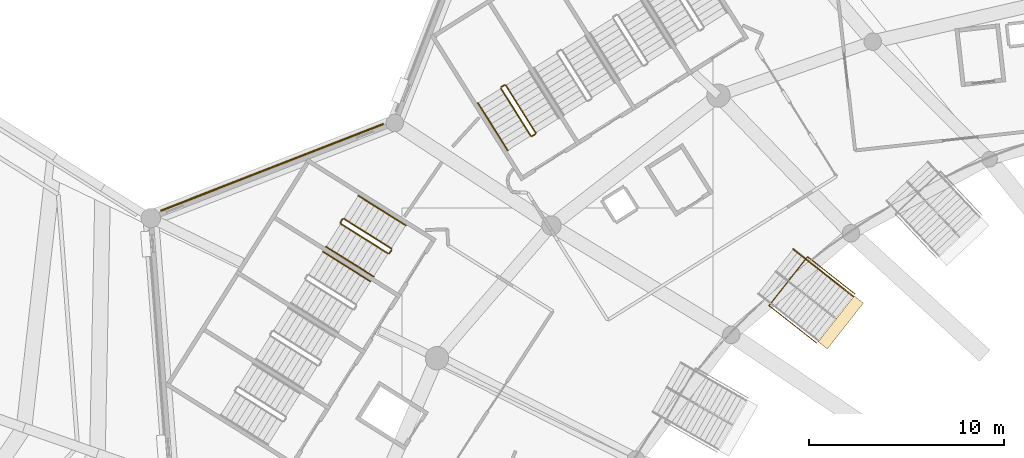
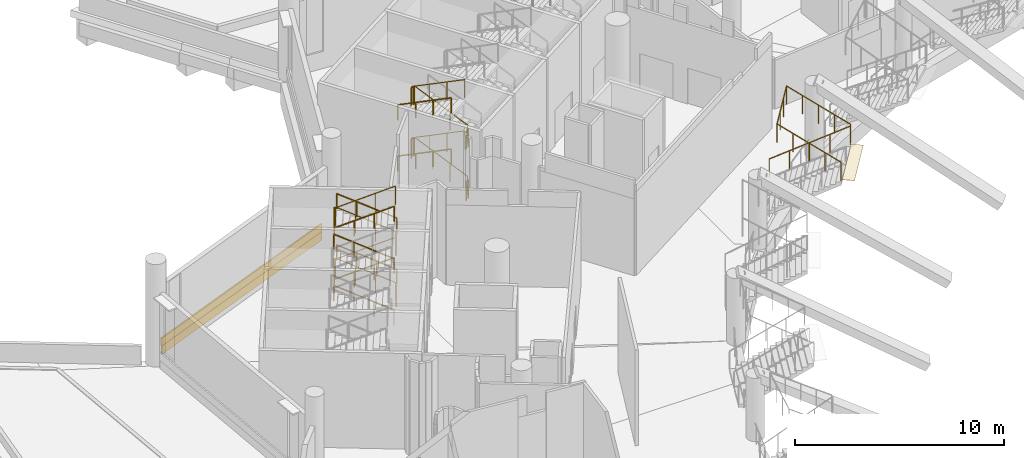
# One storey, part 150 of 173: 26 railings, 3 coverings.
"""IFC4 building model written with IfcOpenShell, lengths in metres."""

from ifc_helpers import new_model, si_unit, direction, frame, origin, origin_2d, place, context, subcontext, project, spatial, rectangle, circle, extrude, material, layer, layer_set, type_object, element, save


model = new_model("IFC4")

# Units and contexts
model_context = context("Model", 3, precision=1e-05, world=origin(), true_north=direction((0.0, 1.0)))
body_context = subcontext(model_context, "Body", "Model", "MODEL_VIEW")
ifc_project = project(units=[si_unit("LENGTHUNIT", "METRE"), si_unit("AREAUNIT", "SQUARE_METRE"), si_unit("VOLUMEUNIT", "CUBIC_METRE"), si_unit("PLANEANGLEUNIT", "RADIAN"), si_unit("MASSUNIT", "GRAM", prefix="KILO")], contexts=[model_context])

# Site, building, storey
site_placement = place(None, origin())
site = spatial("IfcSite", under=ifc_project, at=site_placement, CompositionType="ELEMENT")
building_placement = place(site_placement, origin())
building = spatial("IfcBuilding", under=site, at=building_placement, Name="Meseta Stadium", CompositionType="ELEMENT")
storey_placement = place(building_placement, frame((0.0, 0.0, 18.0)))
storey = spatial("IfcBuildingStorey", under=building, at=storey_placement, Name="L03", CompositionType="ELEMENT", Elevation=18.0)

# Covering
ifc_material_1 = material(Name="Guadarrama granite cladding", Category="masonry")
ifc_layer_1 = layer(ifc_material_1, 0.06005859375)
ifc_layer_set_1 = layer_set([ifc_layer_1], Name="Granite plinth cladding 60")
covering_type_1 = type_object("IfcCoveringType", Name="Granite plinth cladding 60", PredefinedType="CLADDING", material=ifc_layer_set_1)
covering_1_placement = place(storey_placement, frame((-86.669921875, 82.073486328125, 0.0), z_axis=(0.0, 0.0, 1.0), x_axis=(0.931679815252, 0.363280500237, 0.0)))
element("IfcCovering", 1, at=covering_1_placement, inside=storey, type_object=covering_type_1, Name="Granite plinth L03 F25", PredefinedType="CLADDING", context=body_context, shape_type="SweptSolid", body=[
    extrude(rectangle(XDim=12.273681640625, YDim=0.06005859375, at=origin_2d()), origin(), (0.0, 0.0, 1.0), 0.5),
])

# Railings
ifc_material_2 = material(Name="Steel S355", Category="steel")
railing_type_1 = type_object("IfcRailingType", Name="Stair guard 1100", PredefinedType="GUARDRAIL", material=ifc_material_2)
railing_1_placement = place(storey_placement, frame((-73.121826171875, 83.8603515625, 0.14990234375)))
element("IfcRailing", 2, at=railing_1_placement, inside=storey, type_object=railing_type_1, Name="ST52 L03 guard 1", PredefinedType="GUARDRAIL", context=body_context, shape_type="SweptSolid", body=[
    extrude(circle(Radius=0.02392578125, at=origin_2d()), frame((0.0, 0.0, 1.076171875), z_axis=(-0.481731036161, 0.766655447606, 0.424469826318), x_axis=(-0.846719477248, -0.53203959143, 0.0)), (0.0, 0.0, 1.0), 3.1806640625),
    extrude(circle(Radius=0.02099609375, at=origin_2d()), origin(), (0.0, 0.0, 1.0), 1.052001953125),
    extrude(circle(Radius=0.02099609375, at=origin_2d()), frame((-0.5107421875, 0.812744140625, 0.449951171875)), (0.0, 0.0, 1.0), 1.052001953125),
    extrude(circle(Radius=0.02099609375, at=origin_2d()), frame((-1.021484375, 1.625732421875, 0.900146484375)), (0.0, 0.0, 1.0), 1.052001953125),
    extrude(circle(Radius=0.02099609375, at=origin_2d()), frame((-1.5322265625, 2.4384765625, 1.35009765625)), (0.0, 0.0, 1.0), 1.052001953125),
])
railing_2_placement = place(storey_placement, frame((-74.72314453125, 86.314453125, 1.5)))
element("IfcRailing", 3, at=railing_2_placement, inside=storey, type_object=railing_type_1, Name="ST52 L03 guard 2", PredefinedType="GUARDRAIL", context=body_context, shape_type="SweptSolid", body=[
    extrude(circle(Radius=0.02392578125, at=origin_2d()), frame((0.0, 0.0, 1.076171875), z_axis=(-0.846966780732, -0.531645814745, 0.0), x_axis=(0.531645814745, -0.846966780732, 0.0)), (0.0, 0.0, 1.0), 0.19970703125),
    extrude(circle(Radius=0.02099609375, at=origin_2d()), origin(), (0.0, 0.0, 1.0), 1.052001953125),
    extrude(circle(Radius=0.02099609375, at=origin_2d()), frame((-0.169189453125, -0.106201171875, 0.0)), (0.0, 0.0, 1.0), 1.052001953125),
])
railing_3_placement = place(storey_placement, frame((-74.908203125, 86.13916015625, 1.64990234375)))
element("IfcRailing", 4, at=railing_3_placement, inside=storey, type_object=railing_type_1, Name="ST52 L03 guard 3", PredefinedType="GUARDRAIL", context=body_context, shape_type="SweptSolid", body=[
    extrude(circle(Radius=0.02392578125, at=origin_2d()), frame((0.0, 0.0, 1.076171875), z_axis=(0.481731036161, -0.766655447606, 0.424469826318), x_axis=(0.846719477248, 0.53203959143, 0.0)), (0.0, 0.0, 1.0), 3.1806640625),
    extrude(circle(Radius=0.02099609375, at=origin_2d()), origin(), (0.0, 0.0, 1.0), 1.052001953125),
    extrude(circle(Radius=0.02099609375, at=origin_2d()), frame((0.5107421875, -0.812744140625, 0.449951171875)), (0.0, 0.0, 1.0), 1.052001953125),
    extrude(circle(Radius=0.02099609375, at=origin_2d()), frame((1.021484375, -1.625732421875, 0.900146484375)), (0.0, 0.0, 1.0), 1.052001953125),
    extrude(circle(Radius=0.02099609375, at=origin_2d()), frame((1.5322265625, -2.4384765625, 1.35009765625)), (0.0, 0.0, 1.0), 1.052001953125),
])
railing_4_placement = place(storey_placement, frame((-73.1376953125, 83.791259765625, 3.0)))
element("IfcRailing", 5, at=railing_4_placement, inside=storey, type_object=railing_type_1, Name="ST52 L03 guard 4", PredefinedType="GUARDRAIL", context=body_context, shape_type="SweptSolid", body=[
    extrude(circle(Radius=0.02392578125, at=origin_2d()), frame((0.0, 0.0, 1.076171875), z_axis=(-0.846416356806, -0.532521690573, 0.0), x_axis=(0.532521690573, -0.846416356806, 0.0)), (0.0, 0.0, 1.0), 0.199951171875),
    extrude(circle(Radius=0.02099609375, at=origin_2d()), origin(), (0.0, 0.0, 1.0), 1.052001953125),
    extrude(circle(Radius=0.02099609375, at=origin_2d()), frame((-0.169189453125, -0.1064453125, 0.0)), (0.0, 0.0, 1.0), 1.052001953125),
])
railing_5_placement = place(storey_placement, frame((-73.121826171875, 83.8603515625, 3.14990234375)))
element("IfcRailing", 6, at=railing_5_placement, inside=storey, type_object=railing_type_1, Name="ST52 L03 guard 5", PredefinedType="GUARDRAIL", context=body_context, shape_type="SweptSolid", body=[
    extrude(circle(Radius=0.02392578125, at=origin_2d()), frame((0.0, 0.0, 1.076171875), z_axis=(-0.481731036161, 0.766655447606, 0.424469826318), x_axis=(-0.846719477248, -0.53203959143, 0.0)), (0.0, 0.0, 1.0), 3.1806640625),
    extrude(circle(Radius=0.02099609375, at=origin_2d()), origin(), (0.0, 0.0, 1.0), 1.052001953125),
    extrude(circle(Radius=0.02099609375, at=origin_2d()), frame((-0.5107421875, 0.812744140625, 0.449951171875)), (0.0, 0.0, 1.0), 1.052001953125),
    extrude(circle(Radius=0.02099609375, at=origin_2d()), frame((-1.021484375, 1.625732421875, 0.900146484375)), (0.0, 0.0, 1.0), 1.052001953125),
    extrude(circle(Radius=0.02099609375, at=origin_2d()), frame((-1.5322265625, 2.4384765625, 1.35009765625)), (0.0, 0.0, 1.0), 1.052001953125),
])
railing_6_placement = place(storey_placement, frame((-74.72314453125, 86.314453125, 4.5)))
element("IfcRailing", 7, at=railing_6_placement, inside=storey, type_object=railing_type_1, Name="ST52 L03 guard 6", PredefinedType="GUARDRAIL", context=body_context, shape_type="SweptSolid", body=[
    extrude(circle(Radius=0.02392578125, at=origin_2d()), frame((0.0, 0.0, 1.076171875), z_axis=(-0.846966780732, -0.531645814745, 0.0), x_axis=(0.531645814745, -0.846966780732, 0.0)), (0.0, 0.0, 1.0), 0.19970703125),
    extrude(circle(Radius=0.02099609375, at=origin_2d()), origin(), (0.0, 0.0, 1.0), 1.052001953125),
    extrude(circle(Radius=0.02099609375, at=origin_2d()), frame((-0.169189453125, -0.106201171875, 0.0)), (0.0, 0.0, 1.0), 1.052001953125),
])
railing_7_placement = place(storey_placement, frame((-74.908203125, 86.13916015625, 4.64990234375)))
element("IfcRailing", 8, at=railing_7_placement, inside=storey, type_object=railing_type_1, Name="ST52 L03 guard 7", PredefinedType="GUARDRAIL", context=body_context, shape_type="SweptSolid", body=[
    extrude(circle(Radius=0.02392578125, at=origin_2d()), frame((0.0, 0.0, 1.076171875), z_axis=(0.481731036161, -0.766655447606, 0.424469826318), x_axis=(0.846719477248, 0.53203959143, 0.0)), (0.0, 0.0, 1.0), 3.1806640625),
    extrude(circle(Radius=0.02099609375, at=origin_2d()), origin(), (0.0, 0.0, 1.0), 1.052001953125),
    extrude(circle(Radius=0.02099609375, at=origin_2d()), frame((0.5107421875, -0.812744140625, 0.449951171875)), (0.0, 0.0, 1.0), 1.052001953125),
    extrude(circle(Radius=0.02099609375, at=origin_2d()), frame((1.021484375, -1.625732421875, 0.900146484375)), (0.0, 0.0, 1.0), 1.052001953125),
    extrude(circle(Radius=0.02099609375, at=origin_2d()), frame((1.5322265625, -2.4384765625, 1.35009765625)), (0.0, 0.0, 1.0), 1.052001953125),
])
railing_8_placement = place(storey_placement, frame((-73.1376953125, 83.791259765625, 0.0)))
element("IfcRailing", 9, at=railing_8_placement, inside=storey, type_object=railing_type_1, Name="ST52 L03 guard 8", PredefinedType="GUARDRAIL", context=body_context, shape_type="SweptSolid", body=[
    extrude(circle(Radius=0.02392578125, at=origin_2d()), frame((0.0, 0.0, 1.076171875), z_axis=(-0.846416356806, -0.532521690573, 0.0), x_axis=(0.532521690573, -0.846416356806, 0.0)), (0.0, 0.0, 1.0), 0.199951171875),
    extrude(circle(Radius=0.02099609375, at=origin_2d()), origin(), (0.0, 0.0, 1.0), 1.052001953125),
    extrude(circle(Radius=0.02099609375, at=origin_2d()), frame((-0.169189453125, -0.1064453125, 0.0)), (0.0, 0.0, 1.0), 1.052001953125),
])
railing_9_placement = place(storey_placement, frame((-80.54736328125, 77.907958984375, 0.14990234375)))
element("IfcRailing", 10, at=railing_9_placement, inside=storey, type_object=railing_type_1, Name="ST53 L03 guard 1", PredefinedType="GUARDRAIL", context=body_context, shape_type="SweptSolid", body=[
    extrude(circle(Radius=0.02392578125, at=origin_2d()), frame((0.0, 0.0, 1.076171875), z_axis=(-0.766655447606, 0.481731036161, 0.424469826318), x_axis=(-0.53203959143, -0.846719477248, 0.0)), (0.0, 0.0, 1.0), 3.1806640625),
    extrude(circle(Radius=0.02099609375, at=origin_2d()), origin(), (0.0, 0.0, 1.0), 1.052001953125),
    extrude(circle(Radius=0.02099609375, at=origin_2d()), frame((-0.812744140625, 0.5107421875, 0.449951171875)), (0.0, 0.0, 1.0), 1.052001953125),
    extrude(circle(Radius=0.02099609375, at=origin_2d()), frame((-1.625732421875, 1.021484375, 0.900146484375)), (0.0, 0.0, 1.0), 1.052001953125),
    extrude(circle(Radius=0.02099609375, at=origin_2d()), frame((-2.4384765625, 1.5322265625, 1.35009765625)), (0.0, 0.0, 1.0), 1.052001953125),
])
railing_10_placement = place(storey_placement, frame((-83.054931640625, 79.42431640625, 1.5)))
element("IfcRailing", 11, at=railing_10_placement, inside=storey, type_object=railing_type_1, Name="ST53 L03 guard 2", PredefinedType="GUARDRAIL", context=body_context, shape_type="SweptSolid", body=[
    extrude(circle(Radius=0.02392578125, at=origin_2d()), frame((0.0, 0.0, 1.076171875), z_axis=(-0.532521690573, -0.846416356806, 0.0), x_axis=(0.846416356806, -0.532521690573, 0.0)), (0.0, 0.0, 1.0), 0.199951171875),
    extrude(circle(Radius=0.02099609375, at=origin_2d()), origin(), (0.0, 0.0, 1.0), 1.052001953125),
    extrude(circle(Radius=0.02099609375, at=origin_2d()), frame((-0.1064453125, -0.169189453125, 0.0)), (0.0, 0.0, 1.0), 1.052001953125),
])
railing_11_placement = place(storey_placement, frame((-83.1455078125, 79.18603515625, 1.64990234375)))
element("IfcRailing", 12, at=railing_11_placement, inside=storey, type_object=railing_type_1, Name="ST53 L03 guard 3", PredefinedType="GUARDRAIL", context=body_context, shape_type="SweptSolid", body=[
    extrude(circle(Radius=0.02392578125, at=origin_2d()), frame((0.0, 0.0, 1.076171875), z_axis=(0.766655447606, -0.481731036161, 0.424469826318), x_axis=(0.53203959143, 0.846719477248, 0.0)), (0.0, 0.0, 1.0), 3.1806640625),
    extrude(circle(Radius=0.02099609375, at=origin_2d()), origin(), (0.0, 0.0, 1.0), 1.052001953125),
    extrude(circle(Radius=0.02099609375, at=origin_2d()), frame((0.812744140625, -0.5107421875, 0.449951171875)), (0.0, 0.0, 1.0), 1.052001953125),
    extrude(circle(Radius=0.02099609375, at=origin_2d()), frame((1.625732421875, -1.021484375, 0.900146484375)), (0.0, 0.0, 1.0), 1.052001953125),
    extrude(circle(Radius=0.02099609375, at=origin_2d()), frame((2.4384765625, -1.5322265625, 1.35009765625)), (0.0, 0.0, 1.0), 1.052001953125),
])
railing_12_placement = place(storey_placement, frame((-80.53173828125, 77.8388671875, 3.0)))
element("IfcRailing", 13, at=railing_12_placement, inside=storey, type_object=railing_type_1, Name="ST53 L03 guard 4", PredefinedType="GUARDRAIL", context=body_context, shape_type="SweptSolid", body=[
    extrude(circle(Radius=0.02392578125, at=origin_2d()), frame((0.0, 0.0, 1.076171875), z_axis=(-0.531645814745, -0.846966780732, 0.0), x_axis=(0.846966780732, -0.531645814745, 0.0)), (0.0, 0.0, 1.0), 0.19970703125),
    extrude(circle(Radius=0.02099609375, at=origin_2d()), origin(), (0.0, 0.0, 1.0), 1.052001953125),
    extrude(circle(Radius=0.02099609375, at=origin_2d()), frame((-0.106201171875, -0.169189453125, 0.0)), (0.0, 0.0, 1.0), 1.052001953125),
])
railing_13_placement = place(storey_placement, frame((-80.54736328125, 77.907958984375, 3.14990234375)))
element("IfcRailing", 14, at=railing_13_placement, inside=storey, type_object=railing_type_1, Name="ST53 L03 guard 5", PredefinedType="GUARDRAIL", context=body_context, shape_type="SweptSolid", body=[
    extrude(circle(Radius=0.02392578125, at=origin_2d()), frame((0.0, 0.0, 1.076171875), z_axis=(-0.766655447606, 0.481731036161, 0.424469826318), x_axis=(-0.53203959143, -0.846719477248, 0.0)), (0.0, 0.0, 1.0), 3.1806640625),
    extrude(circle(Radius=0.02099609375, at=origin_2d()), origin(), (0.0, 0.0, 1.0), 1.052001953125),
    extrude(circle(Radius=0.02099609375, at=origin_2d()), frame((-0.812744140625, 0.5107421875, 0.449951171875)), (0.0, 0.0, 1.0), 1.052001953125),
    extrude(circle(Radius=0.02099609375, at=origin_2d()), frame((-1.625732421875, 1.021484375, 0.900146484375)), (0.0, 0.0, 1.0), 1.052001953125),
    extrude(circle(Radius=0.02099609375, at=origin_2d()), frame((-2.4384765625, 1.5322265625, 1.35009765625)), (0.0, 0.0, 1.0), 1.052001953125),
])
railing_14_placement = place(storey_placement, frame((-83.054931640625, 79.42431640625, 4.5)))
element("IfcRailing", 15, at=railing_14_placement, inside=storey, type_object=railing_type_1, Name="ST53 L03 guard 6", PredefinedType="GUARDRAIL", context=body_context, shape_type="SweptSolid", body=[
    extrude(circle(Radius=0.02392578125, at=origin_2d()), frame((0.0, 0.0, 1.076171875), z_axis=(-0.532521690573, -0.846416356806, 0.0), x_axis=(0.846416356806, -0.532521690573, 0.0)), (0.0, 0.0, 1.0), 0.199951171875),
    extrude(circle(Radius=0.02099609375, at=origin_2d()), origin(), (0.0, 0.0, 1.0), 1.052001953125),
    extrude(circle(Radius=0.02099609375, at=origin_2d()), frame((-0.1064453125, -0.169189453125, 0.0)), (0.0, 0.0, 1.0), 1.052001953125),
])
railing_15_placement = place(storey_placement, frame((-83.1455078125, 79.18603515625, 4.64990234375)))
element("IfcRailing", 16, at=railing_15_placement, inside=storey, type_object=railing_type_1, Name="ST53 L03 guard 7", PredefinedType="GUARDRAIL", context=body_context, shape_type="SweptSolid", body=[
    extrude(circle(Radius=0.02392578125, at=origin_2d()), frame((0.0, 0.0, 1.076171875), z_axis=(0.766655447606, -0.481731036161, 0.424469826318), x_axis=(0.53203959143, 0.846719477248, 0.0)), (0.0, 0.0, 1.0), 3.1806640625),
    extrude(circle(Radius=0.02099609375, at=origin_2d()), origin(), (0.0, 0.0, 1.0), 1.052001953125),
    extrude(circle(Radius=0.02099609375, at=origin_2d()), frame((0.812744140625, -0.5107421875, 0.449951171875)), (0.0, 0.0, 1.0), 1.052001953125),
    extrude(circle(Radius=0.02099609375, at=origin_2d()), frame((1.625732421875, -1.021484375, 0.900146484375)), (0.0, 0.0, 1.0), 1.052001953125),
    extrude(circle(Radius=0.02099609375, at=origin_2d()), frame((2.4384765625, -1.5322265625, 1.35009765625)), (0.0, 0.0, 1.0), 1.052001953125),
])
railing_16_placement = place(storey_placement, frame((-80.53173828125, 77.8388671875, 0.0)))
element("IfcRailing", 17, at=railing_16_placement, inside=storey, type_object=railing_type_1, Name="ST53 L03 guard 8", PredefinedType="GUARDRAIL", context=body_context, shape_type="SweptSolid", body=[
    extrude(circle(Radius=0.02392578125, at=origin_2d()), frame((0.0, 0.0, 1.076171875), z_axis=(-0.531645814745, -0.846966780732, 0.0), x_axis=(0.846966780732, -0.531645814745, 0.0)), (0.0, 0.0, 1.0), 0.19970703125),
    extrude(circle(Radius=0.02099609375, at=origin_2d()), origin(), (0.0, 0.0, 1.0), 1.052001953125),
    extrude(circle(Radius=0.02099609375, at=origin_2d()), frame((-0.106201171875, -0.169189453125, 0.0)), (0.0, 0.0, 1.0), 1.052001953125),
])
ifc_material_3 = material(Name="Steel S355", Category="steel")
railing_type_2 = type_object("IfcRailingType", Name="Stair handrail 900", PredefinedType="HANDRAIL", material=ifc_material_3)
for number, where, name in (
    (18, (-76.093505859375, 85.394287109375, 1.64990234375), "ST52 L03 handrail 2"),
    (19, (-76.093505859375, 85.394287109375, 4.64990234375), "ST52 L03 handrail 4"),
):
    element("IfcRailing", number, at=place(storey_placement, frame(where)), inside=storey, type_object=railing_type_2, Name=name, PredefinedType="HANDRAIL", context=body_context, shape_type="SweptSolid", body=[
        extrude(circle(Radius=0.02392578125, at=origin_2d()), frame((0.0, 0.0, 0.8759765625), z_axis=(0.481731036161, -0.766655447606, 0.424469826318), x_axis=(0.846719477248, 0.53203959143, 0.0)), (0.0, 0.0, 1.0), 3.1806640625),
        extrude(circle(Radius=0.02099609375, at=origin_2d()), origin(), (0.0, 0.0, 1.0), 0.851806640625),
        extrude(circle(Radius=0.02099609375, at=origin_2d()), frame((0.5107421875, -0.812744140625, 0.449951171875)), (0.0, 0.0, 1.0), 0.851806640625),
        extrude(circle(Radius=0.02099609375, at=origin_2d()), frame((1.021484375, -1.625732421875, 0.900146484375)), (0.0, 0.0, 1.0), 0.851806640625),
        extrude(circle(Radius=0.02099609375, at=origin_2d()), frame((1.5322265625, -2.4384765625, 1.35009765625)), (0.0, 0.0, 1.0), 0.851806640625),
    ])
railing_17_placement = place(storey_placement, frame((-79.802490234375, 79.09326171875, 0.14990234375)))
element("IfcRailing", 20, at=railing_17_placement, inside=storey, type_object=railing_type_2, Name="ST53 L03 handrail 1", PredefinedType="HANDRAIL", context=body_context, shape_type="SweptSolid", body=[
    extrude(circle(Radius=0.02392578125, at=origin_2d()), frame((0.0, 0.0, 0.8759765625), z_axis=(-0.766687087345, 0.481702688975, 0.424444848635), x_axis=(-0.532001404082, -0.84674347122, 0.0)), (0.0, 0.0, 1.0), 3.180908203125),
    extrude(circle(Radius=0.02099609375, at=origin_2d()), origin(), (0.0, 0.0, 1.0), 0.851806640625),
    extrude(circle(Radius=0.02099609375, at=origin_2d()), frame((-0.81298828125, 0.5107421875, 0.449951171875)), (0.0, 0.0, 1.0), 0.851806640625),
    extrude(circle(Radius=0.02099609375, at=origin_2d()), frame((-1.625732421875, 1.021484375, 0.900146484375)), (0.0, 0.0, 1.0), 0.851806640625),
    extrude(circle(Radius=0.02099609375, at=origin_2d()), frame((-2.438720703125, 1.5322265625, 1.35009765625)), (0.0, 0.0, 1.0), 0.851806640625),
])
railing_18_placement = place(storey_placement, frame((-83.890380859375, 78.000732421875, 1.64990234375)))
element("IfcRailing", 21, at=railing_18_placement, inside=storey, type_object=railing_type_2, Name="ST53 L03 handrail 2", PredefinedType="HANDRAIL", context=body_context, shape_type="SweptSolid", body=[
    extrude(circle(Radius=0.02392578125, at=origin_2d()), frame((0.0, 0.0, 0.8759765625), z_axis=(0.766655447606, -0.481731036161, 0.424469826318), x_axis=(0.53203959143, 0.846719477248, 0.0)), (0.0, 0.0, 1.0), 3.1806640625),
    extrude(circle(Radius=0.02099609375, at=origin_2d()), origin(), (0.0, 0.0, 1.0), 0.851806640625),
    extrude(circle(Radius=0.02099609375, at=origin_2d()), frame((0.812744140625, -0.5107421875, 0.449951171875)), (0.0, 0.0, 1.0), 0.851806640625),
    extrude(circle(Radius=0.02099609375, at=origin_2d()), frame((1.625732421875, -1.021484375, 0.900146484375)), (0.0, 0.0, 1.0), 0.851806640625),
    extrude(circle(Radius=0.02099609375, at=origin_2d()), frame((2.4384765625, -1.5322265625, 1.35009765625)), (0.0, 0.0, 1.0), 0.851806640625),
])
railing_19_placement = place(storey_placement, frame((-79.802490234375, 79.09326171875, 3.14990234375)))
element("IfcRailing", 22, at=railing_19_placement, inside=storey, type_object=railing_type_2, Name="ST53 L03 handrail 3", PredefinedType="HANDRAIL", context=body_context, shape_type="SweptSolid", body=[
    extrude(circle(Radius=0.02392578125, at=origin_2d()), frame((0.0, 0.0, 0.8759765625), z_axis=(-0.766687087345, 0.481702688975, 0.424444848635), x_axis=(-0.532001404082, -0.84674347122, 0.0)), (0.0, 0.0, 1.0), 3.180908203125),
    extrude(circle(Radius=0.02099609375, at=origin_2d()), origin(), (0.0, 0.0, 1.0), 0.851806640625),
    extrude(circle(Radius=0.02099609375, at=origin_2d()), frame((-0.81298828125, 0.5107421875, 0.449951171875)), (0.0, 0.0, 1.0), 0.851806640625),
    extrude(circle(Radius=0.02099609375, at=origin_2d()), frame((-1.625732421875, 1.021484375, 0.900146484375)), (0.0, 0.0, 1.0), 0.851806640625),
    extrude(circle(Radius=0.02099609375, at=origin_2d()), frame((-2.438720703125, 1.5322265625, 1.35009765625)), (0.0, 0.0, 1.0), 0.851806640625),
])
railing_20_placement = place(storey_placement, frame((-83.890380859375, 78.000732421875, 4.64990234375)))
element("IfcRailing", 23, at=railing_20_placement, inside=storey, type_object=railing_type_2, Name="ST53 L03 handrail 4", PredefinedType="HANDRAIL", context=body_context, shape_type="SweptSolid", body=[
    extrude(circle(Radius=0.02392578125, at=origin_2d()), frame((0.0, 0.0, 0.8759765625), z_axis=(0.766655447606, -0.481731036161, 0.424469826318), x_axis=(0.53203959143, 0.846719477248, 0.0)), (0.0, 0.0, 1.0), 3.1806640625),
    extrude(circle(Radius=0.02099609375, at=origin_2d()), origin(), (0.0, 0.0, 1.0), 0.851806640625),
    extrude(circle(Radius=0.02099609375, at=origin_2d()), frame((0.812744140625, -0.5107421875, 0.449951171875)), (0.0, 0.0, 1.0), 0.851806640625),
    extrude(circle(Radius=0.02099609375, at=origin_2d()), frame((1.625732421875, -1.021484375, 0.900146484375)), (0.0, 0.0, 1.0), 0.851806640625),
    extrude(circle(Radius=0.02099609375, at=origin_2d()), frame((2.4384765625, -1.5322265625, 1.35009765625)), (0.0, 0.0, 1.0), 0.851806640625),
])
for number, where, name in (
    (24, (-81.611328125, 76.21435546875, 0.14990234375), "ST54 L03 handrail 1"),
    (25, (-81.611328125, 76.21435546875, 3.14990234375), "ST54 L03 handrail 3"),
):
    element("IfcRailing", number, at=place(storey_placement, frame(where)), inside=storey, type_object=railing_type_2, Name=name, PredefinedType="HANDRAIL", context=body_context, shape_type="SweptSolid", body=[
        extrude(circle(Radius=0.02392578125, at=origin_2d()), frame((0.0, 0.0, 0.8759765625), z_axis=(-0.766658740556, 0.481761629239, 0.424429155599), x_axis=(-0.532062176173, -0.846705285613, 0.0)), (0.0, 0.0, 1.0), 3.180908203125),
        extrude(circle(Radius=0.02099609375, at=origin_2d()), origin(), (0.0, 0.0, 1.0), 0.851806640625),
        extrude(circle(Radius=0.02099609375, at=origin_2d()), frame((-0.81298828125, 0.5107421875, 0.449951171875)), (0.0, 0.0, 1.0), 0.851806640625),
        extrude(circle(Radius=0.02099609375, at=origin_2d()), frame((-1.625732421875, 1.021728515625, 0.900146484375)), (0.0, 0.0, 1.0), 0.851806640625),
        extrude(circle(Radius=0.02099609375, at=origin_2d()), frame((-2.438720703125, 1.532470703125, 1.35009765625)), (0.0, 0.0, 1.0), 0.851806640625),
    ])

# Coverings
ifc_material_4 = material(Name="Precast concrete C40/50, terracotta pigment", Category="masonry")
ifc_layer_2 = layer(ifc_material_4, 0.080078125)
ifc_layer_set_2 = layer_set([ifc_layer_2], Name="Precast concrete C40/50, terracotta pigment")
covering_type_2 = type_object("IfcCoveringType", Name="Terracotta precast band 80", PredefinedType="CLADDING", material=ifc_layer_set_2)
covering_2_placement = place(storey_placement, frame((-86.673583984375, 82.082763671875, 0.5), z_axis=(0.0, 0.0, 1.0), x_axis=(0.931679815252, 0.363280500237, 0.0)))
element("IfcCovering", 26, at=covering_2_placement, inside=storey, type_object=covering_type_2, Name="Terracotta band L03 F25", PredefinedType="CLADDING", context=body_context, shape_type="SweptSolid", body=[
    extrude(rectangle(XDim=12.273681640625, YDim=0.080078125, at=origin_2d()), origin(), (0.0, 0.0, 1.0), 0.449951171875),
])
ifc_material_5 = material(Name="Stone paving", Category="masonry")
ifc_layer_3 = layer(ifc_material_5, 0.02001953125)
ifc_layer_set_3 = layer_set([ifc_layer_3], Name="Vomitory exit threshold plate 20")
covering_type_3 = type_object("IfcCoveringType", Name="Vomitory exit threshold plate 20", PredefinedType="FLOORING", material=ifc_layer_set_3)
covering_3_placement = place(storey_placement, frame((-57.438720703125, 74.110107421875, 2.4541015625), z_axis=(0.0, 0.0, 1.0), x_axis=(0.786141751877, -0.618046232862, 0.0)))
element("IfcCovering", 27, at=covering_3_placement, inside=storey, type_object=covering_type_3, Name="Vomitory V-upper-25 exit threshold", PredefinedType="FLOORING", context=body_context, shape_type="SweptSolid", body=[
    extrude(rectangle(XDim=0.60009765625, YDim=3.0, at=origin_2d()), origin(), (0.0, 0.0, 1.0), 0.02001953125),
])

# Railings
ifc_material_6 = material(Name="Steel S355", Category="steel")
railing_type_3 = type_object("IfcRailingType", Name="Vomitory slot guard 1100", PredefinedType="GUARDRAIL", material=ifc_material_6)
railing_21_placement = place(storey_placement, frame((-58.690185546875, 73.05859375, 2.47412109375)))
element("IfcRailing", 28, at=railing_21_placement, inside=storey, type_object=railing_type_3, Name="Vomitory V-upper-25 slot guard", PredefinedType="GUARDRAIL", context=body_context, shape_type="SweptSolid", body=[
    extrude(circle(Radius=0.02490234375, at=origin_2d()), frame((0.0, 0.0, 1.0751953125), z_axis=(-0.666635750203, 0.524119151232, 0.529996124385), x_axis=(-0.618064990358, -0.786127004811, 0.0)), (0.0, 0.0, 1.0), 3.65576171875),
    extrude(circle(Radius=0.02490234375, at=origin_2d()), frame((-2.43701171875, 1.916015625, 3.0126953125), z_axis=(0.618057385598, 0.78613298373, 0.0), x_axis=(-0.78613298373, 0.618057385598, 0.0)), (0.0, 0.0, 1.0), 3.199951171875),
    extrude(circle(Radius=0.02490234375, at=origin_2d()), frame((-0.459228515625, 4.431640625, 3.0126953125), z_axis=(0.666659083967, -0.524070710468, -0.530014675452), x_axis=(0.618016316891, 0.786165270193, 0.0)), (0.0, 0.0, 1.0), 3.655517578125),
    extrude(circle(Radius=0.02001953125, at=origin_2d()), origin(), (0.0, 0.0, 1.0), 1.050048828125),
    extrude(circle(Radius=0.02001953125, at=origin_2d()), frame((-0.609375, 0.47900390625, 0.484375)), (0.0, 0.0, 1.0), 1.050048828125),
    extrude(circle(Radius=0.02001953125, at=origin_2d()), frame((-1.218505859375, 0.9580078125, 0.96875)), (0.0, 0.0, 1.0), 1.050048828125),
    extrude(circle(Radius=0.02001953125, at=origin_2d()), frame((-1.82763671875, 1.43701171875, 1.453125)), (0.0, 0.0, 1.0), 1.050048828125),
    extrude(circle(Radius=0.02001953125, at=origin_2d()), frame((-2.43701171875, 1.916015625, 1.9375)), (0.0, 0.0, 1.0), 1.050048828125),
    extrude(circle(Radius=0.02001953125, at=origin_2d()), frame((-1.77783203125, 2.754638671875, 1.9375)), (0.0, 0.0, 1.0), 1.050048828125),
    extrude(circle(Radius=0.02001953125, at=origin_2d()), frame((-1.118408203125, 3.593017578125, 1.9375)), (0.0, 0.0, 1.0), 1.050048828125),
    extrude(circle(Radius=0.02001953125, at=origin_2d()), frame((-0.459228515625, 4.431640625, 1.9375)), (0.0, 0.0, 1.0), 1.050048828125),
    extrude(circle(Radius=0.02001953125, at=origin_2d()), frame((0.14990234375, 3.95263671875, 1.453125)), (0.0, 0.0, 1.0), 1.050048828125),
    extrude(circle(Radius=0.02001953125, at=origin_2d()), frame((0.75927734375, 3.4736328125, 0.96875)), (0.0, 0.0, 1.0), 1.050048828125),
    extrude(circle(Radius=0.02001953125, at=origin_2d()), frame((1.36865234375, 2.994873046875, 0.484375)), (0.0, 0.0, 1.0), 1.050048828125),
    extrude(circle(Radius=0.02001953125, at=origin_2d()), frame((1.977783203125, 2.515869140625, 0.0)), (0.0, 0.0, 1.0), 1.050048828125),
])
ifc_material_7 = material(Name="Steel S355", Category="steel")
railing_type_4 = type_object("IfcRailingType", Name="Vomitory stair guard 1100", PredefinedType="GUARDRAIL", material=ifc_material_7)
railing_22_placement = place(storey_placement, frame((-59.88671875, 77.879150390625, 0.164794921875)))
element("IfcRailing", 29, at=railing_22_placement, inside=storey, type_object=railing_type_4, Name="Vomitory V-upper-25 guard left", PredefinedType="GUARDRAIL", context=body_context, shape_type="SweptSolid", body=[
    extrude(circle(Radius=0.02490234375, at=origin_2d()), frame((0.0, 0.0, 1.0751953125), z_axis=(0.677317744059, -0.532538527337, 0.507585845433), x_axis=(0.618080074529, 0.786115145173, 0.0)), (0.0, 0.0, 1.0), 4.549560546875),
    extrude(circle(Radius=0.02001953125, at=origin_2d()), origin(), (0.0, 0.0, 1.0), 1.050048828125),
    extrude(circle(Radius=0.02001953125, at=origin_2d()), frame((0.7705078125, -0.605712890625, 0.577392578125)), (0.0, 0.0, 1.0), 1.050048828125),
    extrude(circle(Radius=0.02001953125, at=origin_2d()), frame((1.540771484375, -1.21142578125, 1.15478515625)), (0.0, 0.0, 1.0), 1.050048828125),
    extrude(circle(Radius=0.02001953125, at=origin_2d()), frame((2.31103515625, -1.817138671875, 1.73193359375)), (0.0, 0.0, 1.0), 1.050048828125),
    extrude(circle(Radius=0.02001953125, at=origin_2d()), frame((3.08154296875, -2.4228515625, 2.309326171875)), (0.0, 0.0, 1.0), 1.050048828125),
])

save(model, "model.ifc")
